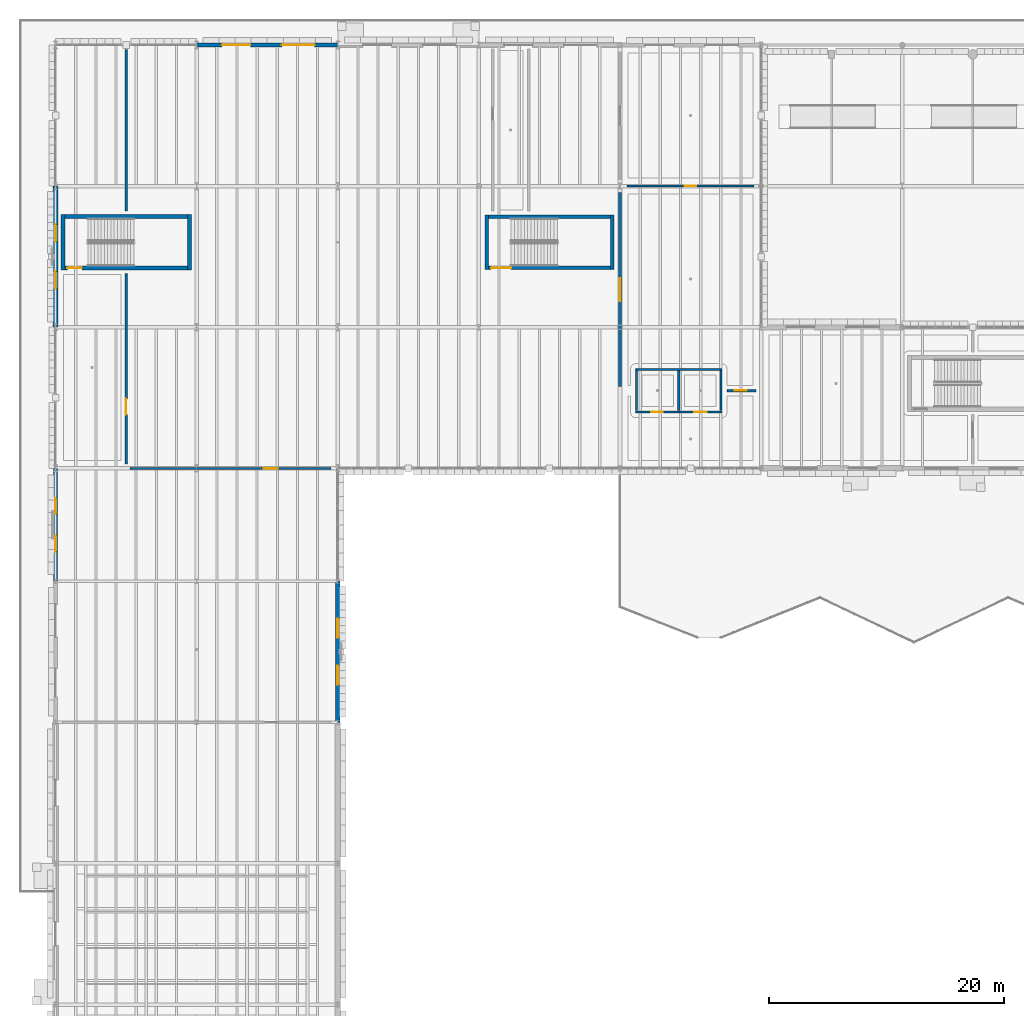
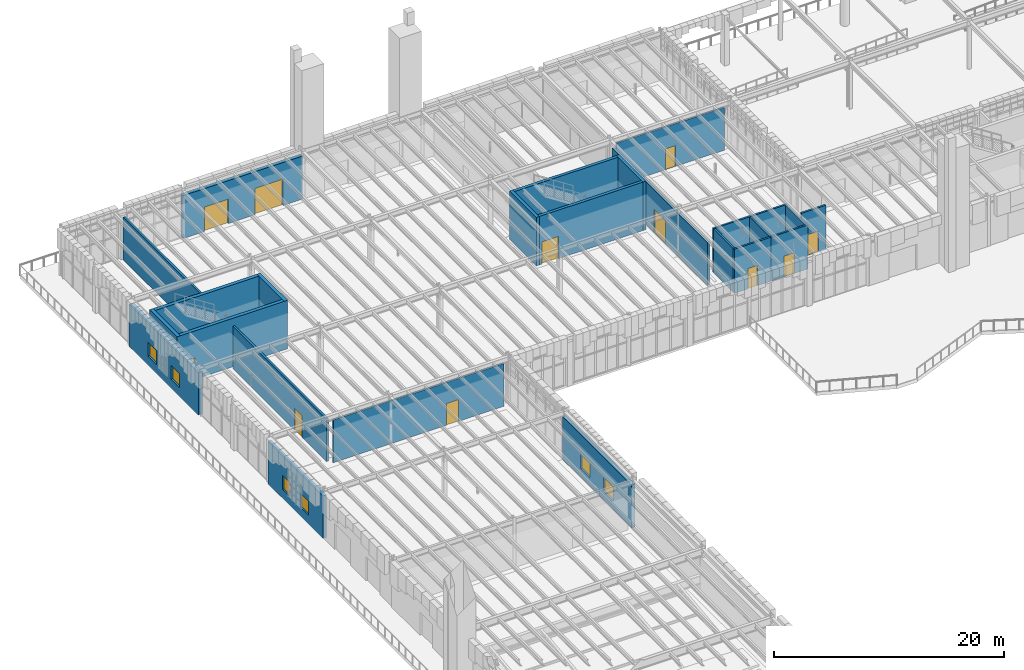
# One storey, part 53 of 103: 24 walls, 11 doors, 6 windows, 17 openings.
"""IFC4 building model written with IfcOpenShell, lengths in metres."""

from ifc_helpers import new_model, si_unit, direction, frame, frame_2d, origin, place, context, subcontext, project, spatial, rectangle, extrude, material, layer, layer_set, type_object, element, fill, save


model = new_model("IFC4")

# Units and contexts
model_context = context("Model", 3, precision=1e-05, world=origin(), true_north=direction((0.0, 1.0)))
body_context = subcontext(model_context, "Body", "Model", "MODEL_VIEW")
ifc_project = project(units=[si_unit("LENGTHUNIT", "METRE"), si_unit("AREAUNIT", "SQUARE_METRE"), si_unit("VOLUMEUNIT", "CUBIC_METRE"), si_unit("PLANEANGLEUNIT", "RADIAN"), si_unit("MASSUNIT", "GRAM", prefix="KILO")], contexts=[model_context])

# Site, building, storey
site_placement = place(None, origin())
site = spatial("IfcSite", under=ifc_project, at=site_placement, CompositionType="ELEMENT")
building_placement = place(site_placement, origin())
building = spatial("IfcBuilding", under=site, at=building_placement, Name="Zlatogorsky Bluff Art Gallery", CompositionType="ELEMENT")
storey_placement = place(building_placement, origin())
storey = spatial("IfcBuildingStorey", under=building, at=storey_placement, Name="L00", CompositionType="ELEMENT", Elevation=0.0)

# Wall, openings, windows
ifc_material_1 = material(Name="Precast concrete C40/50", Category="concrete")
ifc_layer_1 = layer(ifc_material_1, 0.360107421875)
ifc_layer_set_1 = layer_set([ifc_layer_1], Name="Exterior Wall EW-01 360mm")
wall_type_1 = type_object("IfcWallType", Name="Exterior Wall EW-01 360mm", PredefinedType="SOLIDWALL", material=ifc_layer_set_1)
wall_1_placement = place(storey_placement, frame((0.0, 84.0, 0.0), z_axis=(0.0, 0.0, 1.0), x_axis=(0.0, -1.0, 0.0)))
wall_1 = element("IfcWall", 1, at=wall_1_placement, inside=storey, type_object=wall_type_1, Name="Exterior wall EW-01 L00 W 0.7", PredefinedType="SOLIDWALL", context=body_context, shape_type="SweptSolid", body=[
    extrude(rectangle(XDim=9.60009765625, YDim=0.360107421875, at=frame_2d((4.800048828125, 0.0))), origin(), (0.0, 0.0, 1.0), 4.52001953125),
])
opening_1_placement = place(wall_1_placement, frame((2.52490234375, 0.0, 0.949951171875)))
opening_1 = element("IfcOpeningElement", 2, at=opening_1_placement, cuts=wall_1, Name="Opening WN-04", PredefinedType="OPENING", context=body_context, shape_type="SweptSolid", body=[
    extrude(rectangle(XDim=1.35009765625, YDim=1.5, at=frame_2d((0.675048828125, 0.75))), frame((0.0, 0.18994140625, 0.0), z_axis=(0.0, -1.0, 0.0), x_axis=(1.0, 0.0, 0.0)), (0.0, 0.0, 1.0), 0.380126953125),
])
opening_2_placement = place(wall_1_placement, frame((5.72509765625, 0.0, 0.949951171875)))
opening_2 = element("IfcOpeningElement", 3, at=opening_2_placement, cuts=wall_1, Name="Opening WN-04", PredefinedType="OPENING", context=body_context, shape_type="SweptSolid", body=[
    extrude(rectangle(XDim=1.35009765625, YDim=1.5, at=frame_2d((0.675048828125, 0.75))), frame((0.0, 0.18994140625, 0.0), z_axis=(0.0, -1.0, 0.0), x_axis=(1.0, 0.0, 0.0)), (0.0, 0.0, 1.0), 0.380126953125),
])
ifc_material_2 = material(Name="Bronze-Anodised Aluminium Triple Glazing", Category="aluminium")
window_type_1 = type_object("IfcWindowType", Name="Pointed-Reveal Window WN-04 1350x1500", PartitioningType="SINGLE_PANEL", PredefinedType="WINDOW", material=ifc_material_2)
window_1_placement = place(opening_1_placement, origin())
window_1 = element("IfcWindow", 4, at=window_1_placement, inside=storey, type_object=window_type_1, Name="Window WN-04 L00.W.0.7.1", OverallHeight=1.5, OverallWidth=1.35009765625, PartitioningType="SINGLE_PANEL", PredefinedType="WINDOW", context=body_context, shape_type="SweptSolid", body=[
    extrude(rectangle(XDim=1.35009765625, YDim=1.5, at=frame_2d((0.675048828125, 0.75))), frame((0.0, 0.030029296875, 0.0), z_axis=(0.0, -1.0, 0.0), x_axis=(1.0, 0.0, 0.0)), (0.0, 0.0, 1.0), 0.06005859375),
])
fill(opening_1, window_1)
window_2_placement = place(opening_2_placement, origin())
window_2 = element("IfcWindow", 5, at=window_2_placement, inside=storey, type_object=window_type_1, Name="Window WN-04 L00.W.0.7.2", OverallHeight=1.5, OverallWidth=1.35009765625, PartitioningType="SINGLE_PANEL", PredefinedType="WINDOW", context=body_context, shape_type="SweptSolid", body=[
    extrude(rectangle(XDim=1.35009765625, YDim=1.5, at=frame_2d((0.675048828125, 0.75))), frame((0.0, 0.030029296875, 0.0), z_axis=(0.0, -1.0, 0.0), x_axis=(1.0, 0.0, 0.0)), (0.0, 0.0, 1.0), 0.06005859375),
])
fill(opening_2, window_2)

wall_2_placement = place(storey_placement, frame((24.0, 62.39990234375, 0.0), z_axis=(0.0, 0.0, 1.0), x_axis=(0.0, 1.0, 0.0)))
wall_2 = element("IfcWall", 6, at=wall_2_placement, inside=storey, type_object=wall_type_1, Name="Exterior wall EW-01 L00 E 1.6", PredefinedType="SOLIDWALL", context=body_context, shape_type="SweptSolid", body=[
    extrude(rectangle(XDim=12.0, YDim=0.360107421875, at=frame_2d((6.0, 0.0))), origin(), (0.0, 0.0, 1.0), 4.56005859375),
])
opening_3_placement = place(wall_2_placement, frame((3.175048828125, 0.0, 0.949951171875)))
opening_3 = element("IfcOpeningElement", 7, at=opening_3_placement, cuts=wall_2, Name="Opening WN-06", PredefinedType="OPENING", context=body_context, shape_type="SweptSolid", body=[
    extrude(rectangle(XDim=1.64990234375, YDim=1.5, at=frame_2d((0.824951171875, 0.75))), frame((0.0, 0.18994140625, 0.0), z_axis=(0.0, -1.0, 0.0), x_axis=(1.0, 0.0, 0.0)), (0.0, 0.0, 1.0), 0.380126953125),
])
opening_4_placement = place(wall_2_placement, frame((7.175048828125, 0.0, 0.949951171875)))
opening_4 = element("IfcOpeningElement", 8, at=opening_4_placement, cuts=wall_2, Name="Opening WN-06", PredefinedType="OPENING", context=body_context, shape_type="SweptSolid", body=[
    extrude(rectangle(XDim=1.64990234375, YDim=1.5, at=frame_2d((0.824951171875, 0.75))), frame((0.0, 0.18994140625, 0.0), z_axis=(0.0, -1.0, 0.0), x_axis=(1.0, 0.0, 0.0)), (0.0, 0.0, 1.0), 0.380126953125),
])
window_type_2 = type_object("IfcWindowType", Name="Pointed-Reveal Window WN-06 1650x1500", PartitioningType="SINGLE_PANEL", PredefinedType="WINDOW", material=ifc_material_2)
window_3_placement = place(opening_3_placement, origin())
window_3 = element("IfcWindow", 9, at=window_3_placement, inside=storey, type_object=window_type_2, Name="Window WN-06 L00.E.1.6.1", OverallHeight=1.5, OverallWidth=1.64990234375, PartitioningType="SINGLE_PANEL", PredefinedType="WINDOW", context=body_context, shape_type="SweptSolid", body=[
    extrude(rectangle(XDim=1.64990234375, YDim=1.5, at=frame_2d((0.824951171875, 0.75))), frame((0.0, 0.030029296875, 0.0), z_axis=(0.0, -1.0, 0.0), x_axis=(1.0, 0.0, 0.0)), (0.0, 0.0, 1.0), 0.06005859375),
])
fill(opening_3, window_3)
window_4_placement = place(opening_4_placement, origin())
window_4 = element("IfcWindow", 10, at=window_4_placement, inside=storey, type_object=window_type_2, Name="Window WN-06 L00.E.1.6.2", OverallHeight=1.5, OverallWidth=1.64990234375, PartitioningType="SINGLE_PANEL", PredefinedType="WINDOW", context=body_context, shape_type="SweptSolid", body=[
    extrude(rectangle(XDim=1.64990234375, YDim=1.5, at=frame_2d((0.824951171875, 0.75))), frame((0.0, 0.030029296875, 0.0), z_axis=(0.0, -1.0, 0.0), x_axis=(1.0, 0.0, 0.0)), (0.0, 0.0, 1.0), 0.06005859375),
])
fill(opening_4, window_4)

# Wall, openings, doors
wall_3_placement = place(storey_placement, frame((24.0, 120.0, 0.0), z_axis=(0.0, 0.0, 1.0), x_axis=(-1.0, 0.0, 0.0)))
wall_3 = element("IfcWall", 11, at=wall_3_placement, inside=storey, type_object=wall_type_1, Name="Exterior wall EW-01 L00 N 1.10", PredefinedType="SOLIDWALL", context=body_context, shape_type="SweptSolid", body=[
    extrude(rectangle(XDim=12.0, YDim=0.360107421875, at=frame_2d((6.0, 0.0))), origin(), (0.0, 0.0, 1.0), 4.56005859375),
])
opening_5_placement = place(wall_3_placement, frame((1.9599609375, 0.0, 0.0)))
opening_5 = element("IfcOpeningElement", 12, at=opening_5_placement, cuts=wall_3, Name="Opening ED-T3", PredefinedType="OPENING", context=body_context, shape_type="SweptSolid", body=[
    extrude(rectangle(XDim=2.800048828125, YDim=2.800048828125, at=frame_2d((1.39990234375, 1.39990234375))), frame((0.0, 0.18994140625, 0.0), z_axis=(0.0, -1.0, 0.0), x_axis=(1.0, 0.0, 0.0)), (0.0, 0.0, 1.0), 0.380126953125),
])
opening_6_placement = place(wall_3_placement, frame((7.43994140625, 0.0, 0.0)))
opening_6 = element("IfcOpeningElement", 13, at=opening_6_placement, cuts=wall_3, Name="Opening ED-T2", PredefinedType="OPENING", context=body_context, shape_type="SweptSolid", body=[
    extrude(rectangle(XDim=2.39990234375, YDim=2.60009765625, at=frame_2d((1.199951171875, 1.300048828125))), frame((0.0, 0.18994140625, 0.0), z_axis=(0.0, -1.0, 0.0), x_axis=(1.0, 0.0, 0.0)), (0.0, 0.0, 1.0), 0.380126953125),
])
ifc_material_3 = material(Name="Bronze-Clad Thermally Broken Steel and Laminated Glass", Category="steel")
door_type_1 = type_object("IfcDoorType", Name="Exterior Door ED-T2 2400x2600", OperationType="DOUBLE_DOOR_SINGLE_SWING", PredefinedType="DOOR", material=ifc_material_3)
door_1_placement = place(opening_6_placement, frame((2.39990234375, 0.0, 0.0), z_axis=(0.0, 0.0, 1.0), x_axis=(-1.0, 0.0, 0.0)))
door_1 = element("IfcDoor", 14, at=door_1_placement, inside=storey, type_object=door_type_1, Name="Ground exit portal double door ED-T2 N.1.10.2", OperationType="DOUBLE_DOOR_SINGLE_SWING", OverallHeight=2.60009765625, OverallWidth=2.39990234375, PredefinedType="DOOR", context=body_context, shape_type="SweptSolid", body=[
    extrude(rectangle(XDim=2.39990234375, YDim=2.60009765625, at=frame_2d((1.199951171875, 1.300048828125))), frame((0.0, 0.02490234375, 0.0), z_axis=(0.0, -1.0, 0.0), x_axis=(1.0, 0.0, 0.0)), (0.0, 0.0, 1.0), 0.050048828125),
])
fill(opening_6, door_1)
door_type_2 = type_object("IfcDoorType", Name="Exterior Door ED-T3 2800x2800", OperationType="DOUBLE_DOOR_SINGLE_SWING", PredefinedType="DOOR", material=ifc_material_3)
door_2_placement = place(opening_5_placement, frame((2.800048828125, 0.0, 0.0), z_axis=(0.0, 0.0, 1.0), x_axis=(-1.0, 0.0, 0.0)))
door_2 = element("IfcDoor", 15, at=door_2_placement, inside=storey, type_object=door_type_2, Name="Ground exit portal double door ED-T3 N.1.10.1", OperationType="DOUBLE_DOOR_SINGLE_SWING", OverallHeight=2.800048828125, OverallWidth=2.800048828125, PredefinedType="DOOR", context=body_context, shape_type="SweptSolid", body=[
    extrude(rectangle(XDim=2.800048828125, YDim=2.800048828125, at=frame_2d((1.39990234375, 1.39990234375))), frame((0.0, 0.02490234375, 0.0), z_axis=(0.0, -1.0, 0.0), x_axis=(1.0, 0.0, 0.0)), (0.0, 0.0, 1.0), 0.050048828125),
])
fill(opening_5, door_2)

# Wall, openings, windows
ifc_layer_2 = layer(ifc_material_1, 0.43994140625)
ifc_layer_set_2 = layer_set([ifc_layer_2], Name="Exterior Wall EW-03 440mm")
wall_type_2 = type_object("IfcWallType", Name="Exterior Wall EW-03 440mm", PredefinedType="SOLIDWALL", material=ifc_layer_set_2)
wall_4_placement = place(storey_placement, frame((0.0, 108.0, 0.0), z_axis=(0.0, 0.0, 1.0), x_axis=(0.0, -1.0, 0.0)))
wall_4 = element("IfcWall", 16, at=wall_4_placement, inside=storey, type_object=wall_type_2, Name="Exterior wall EW-03 L00 W 0.9", PredefinedType="SOLIDWALL", context=body_context, shape_type="SweptSolid", body=[
    extrude(rectangle(XDim=12.0, YDim=0.43994140625, at=frame_2d((6.0, 0.0))), origin(), (0.0, 0.0, 1.0), 4.52001953125),
])
opening_7_placement = place(wall_4_placement, frame((3.25, 0.0, 0.949951171875)))
opening_7 = element("IfcOpeningElement", 17, at=opening_7_placement, cuts=wall_4, Name="Opening WN-05", PredefinedType="OPENING", context=body_context, shape_type="SweptSolid", body=[
    extrude(rectangle(XDim=1.5, YDim=1.5, at=frame_2d((0.75, 0.75))), frame((0.0, 0.22998046875, 0.0), z_axis=(0.0, -1.0, 0.0), x_axis=(1.0, 0.0, 0.0)), (0.0, 0.0, 1.0), 0.4599609375),
])
opening_8_placement = place(wall_4_placement, frame((7.25, 0.0, 0.949951171875)))
opening_8 = element("IfcOpeningElement", 18, at=opening_8_placement, cuts=wall_4, Name="Opening WN-05", PredefinedType="OPENING", context=body_context, shape_type="SweptSolid", body=[
    extrude(rectangle(XDim=1.5, YDim=1.5, at=frame_2d((0.75, 0.75))), frame((0.0, 0.22998046875, 0.0), z_axis=(0.0, -1.0, 0.0), x_axis=(1.0, 0.0, 0.0)), (0.0, 0.0, 1.0), 0.4599609375),
])
window_type_3 = type_object("IfcWindowType", Name="Pointed-Reveal Window WN-05 1500x1500", PartitioningType="SINGLE_PANEL", PredefinedType="WINDOW", material=ifc_material_2)
window_5_placement = place(opening_7_placement, origin())
window_5 = element("IfcWindow", 19, at=window_5_placement, inside=storey, type_object=window_type_3, Name="Window WN-05 L00.W.0.9.1", OverallHeight=1.5, OverallWidth=1.5, PartitioningType="SINGLE_PANEL", PredefinedType="WINDOW", context=body_context, shape_type="SweptSolid", body=[
    extrude(rectangle(XDim=1.5, YDim=1.5, at=frame_2d((0.75, 0.75))), frame((0.0, 0.030029296875, 0.0), z_axis=(0.0, -1.0, 0.0), x_axis=(1.0, 0.0, 0.0)), (0.0, 0.0, 1.0), 0.06005859375),
])
fill(opening_7, window_5)
window_6_placement = place(opening_8_placement, origin())
window_6 = element("IfcWindow", 20, at=window_6_placement, inside=storey, type_object=window_type_3, Name="Window WN-05 L00.W.0.9.2", OverallHeight=1.5, OverallWidth=1.5, PartitioningType="SINGLE_PANEL", PredefinedType="WINDOW", context=body_context, shape_type="SweptSolid", body=[
    extrude(rectangle(XDim=1.5, YDim=1.5, at=frame_2d((0.75, 0.75))), frame((0.0, 0.030029296875, 0.0), z_axis=(0.0, -1.0, 0.0), x_axis=(1.0, 0.0, 0.0)), (0.0, 0.0, 1.0), 0.06005859375),
])
fill(opening_8, window_6)

# Wall
ifc_material_4 = material(Name="Concrete C30/37", Category="concrete")
ifc_layer_3 = layer(ifc_material_4, 0.179931640625)
ifc_layer_set_3 = layer_set([ifc_layer_3], Name="Interior Wall IW-02 180mm")
wall_type_3 = type_object("IfcWallType", Name="Interior Wall IW-02 180mm", PredefinedType="PARTITIONING", material=ifc_layer_set_3)
wall_5_placement = place(storey_placement, frame((49.31005859375, 92.39990234375, 0.0), z_axis=(0.0, 0.0, 1.0), x_axis=(1.0, 0.0, 0.0)))
element("IfcWall", 21, at=wall_5_placement, inside=storey, type_object=wall_type_3, Name="Restroom enclosure partition IW-L00-WC-N", PredefinedType="PARTITIONING", context=body_context, shape_type="SweptSolid", body=[
    extrude(rectangle(XDim=7.3798828125, YDim=0.179931640625, at=frame_2d((3.68994140625, 0.0))), origin(), (0.0, 0.0, 1.0), 4.669921875),
])

# Wall, opening, door
wall_6_placement = place(storey_placement, frame((49.31005859375, 88.800048828125, 0.0), z_axis=(0.0, 0.0, 1.0), x_axis=(1.0, 0.0, 0.0)))
wall_6 = element("IfcWall", 22, at=wall_6_placement, inside=storey, type_object=wall_type_3, Name="Restroom enclosure partition IW-L00-WC-S1", PredefinedType="PARTITIONING", context=body_context, shape_type="SweptSolid", body=[
    extrude(rectangle(XDim=3.68994140625, YDim=0.179931640625, at=frame_2d((1.844970703125, 0.0))), origin(), (0.0, 0.0, 1.0), 4.669921875),
])
opening_9_placement = place(wall_6_placement, frame((1.364990234375, 0.0, 0.0)))
opening_9 = element("IfcOpeningElement", 23, at=opening_9_placement, cuts=wall_6, Name="Opening ID-02", PredefinedType="OPENING", context=body_context, shape_type="SweptSolid", body=[
    extrude(rectangle(XDim=0.9599609375, YDim=2.14990234375, at=frame_2d((0.47998046875, 1.074951171875))), frame((0.0, 0.099853515625, 0.0), z_axis=(0.0, -1.0, 0.0), x_axis=(1.0, 0.0, 0.0)), (0.0, 0.0, 1.0), 0.199951171875),
])
ifc_material_5 = material(Name="Anodised Aluminium and Laminated Timber", Category="wood")
door_type_3 = type_object("IfcDoorType", Name="Interior Door ID-02 960x2150", OperationType="SINGLE_SWING_LEFT", PredefinedType="DOOR", material=ifc_material_5)
door_3_placement = place(opening_9_placement, origin())
door_3 = element("IfcDoor", 24, at=door_3_placement, inside=storey, type_object=door_type_3, Name="Door ID-02 L00-WC", OperationType="SINGLE_SWING_LEFT", OverallHeight=2.14990234375, OverallWidth=0.9599609375, PredefinedType="DOOR", context=body_context, shape_type="SweptSolid", body=[
    extrude(rectangle(XDim=0.9599609375, YDim=2.14990234375, at=frame_2d((0.47998046875, 1.074951171875))), frame((0.0, 0.02490234375, 0.0), z_axis=(0.0, -1.0, 0.0), x_axis=(1.0, 0.0, 0.0)), (0.0, 0.0, 1.0), 0.050048828125),
])
fill(opening_9, door_3)

wall_7_placement = place(storey_placement, frame((53.0, 88.800048828125, 0.0), z_axis=(0.0, 0.0, 1.0), x_axis=(1.0, 0.0, 0.0)))
wall_7 = element("IfcWall", 25, at=wall_7_placement, inside=storey, type_object=wall_type_3, Name="Restroom enclosure partition IW-L00-WC-S2", PredefinedType="PARTITIONING", context=body_context, shape_type="SweptSolid", body=[
    extrude(rectangle(XDim=3.68994140625, YDim=0.179931640625, at=frame_2d((1.844970703125, 0.0))), origin(), (0.0, 0.0, 1.0), 4.669921875),
])
opening_10_placement = place(wall_7_placement, frame((1.320068359375, 0.0, 0.0)))
opening_10 = element("IfcOpeningElement", 26, at=opening_10_placement, cuts=wall_7, Name="Opening ID-04", PredefinedType="OPENING", context=body_context, shape_type="SweptSolid", body=[
    extrude(rectangle(XDim=1.050048828125, YDim=2.199951171875, at=frame_2d((0.52490234375, 1.10009765625))), frame((0.0, 0.099853515625, 0.0), z_axis=(0.0, -1.0, 0.0), x_axis=(1.0, 0.0, 0.0)), (0.0, 0.0, 1.0), 0.199951171875),
])
door_type_4 = type_object("IfcDoorType", Name="Interior Door ID-04 1050x2200", OperationType="SINGLE_SWING_LEFT", PredefinedType="DOOR", material=ifc_material_5)
door_4_placement = place(opening_10_placement, origin())
door_4 = element("IfcDoor", 27, at=door_4_placement, inside=storey, type_object=door_type_4, Name="Door ID-04 L00-AWC", OperationType="SINGLE_SWING_RIGHT", OverallHeight=2.199951171875, OverallWidth=1.050048828125, PredefinedType="DOOR", context=body_context, shape_type="SweptSolid", body=[
    extrude(rectangle(XDim=1.050048828125, YDim=2.199951171875, at=frame_2d((0.52490234375, 1.10009765625))), frame((0.0, 0.02490234375, 0.0), z_axis=(0.0, -1.0, 0.0), x_axis=(1.0, 0.0, 0.0)), (0.0, 0.0, 1.0), 0.050048828125),
])
fill(opening_10, door_4)

# Walls
for number, where, z_axis, x_axis, name in (
    (28, (49.39990234375, 88.89990234375, 0.0), (0.0, 0.0, 1.0), (0.0, 1.0, 0.0), "Restroom enclosure partition IW-L00-WC-W"),
    (29, (56.60009765625, 88.89990234375, 0.0), (0.0, 0.0, 1.0), (0.0, 1.0, 0.0), "Restroom enclosure partition IW-L00-WC-E"),
    (30, (53.0, 88.89990234375, 0.0), (0.0, 0.0, 1.0), (0.0, 1.0, 0.0), "Restroom enclosure partition IW-L00-WC-M"),
):
    element("IfcWall", number, at=place(storey_placement, frame(where, z_axis=z_axis, x_axis=x_axis)), inside=storey, type_object=wall_type_3, Name=name, PredefinedType="PARTITIONING", context=body_context, shape_type="SweptSolid", body=[
        extrude(rectangle(XDim=3.400146484375, YDim=0.179931640625, at=frame_2d((1.7001953125, 0.0))), origin(), (0.0, 0.0, 1.0), 4.669921875),
    ])

# Wall, opening, door
wall_8_placement = place(storey_placement, frame((6.33740234375, 84.0, 0.0), z_axis=(0.0, 0.0, 1.0), x_axis=(1.0, 0.0, 0.0)))
wall_8 = element("IfcWall", 31, at=wall_8_placement, inside=storey, type_object=wall_type_3, Name="Partition IW-02 between L00-S1 and L00-F1-12", PredefinedType="PARTITIONING", context=body_context, shape_type="SweptSolid", body=[
    extrude(rectangle(XDim=17.105224609375, YDim=0.179931640625, at=frame_2d((8.552734375, 0.0))), origin(), (0.0, 0.0, 1.0), 4.530029296875),
])
opening_11_placement = place(wall_8_placement, frame((11.3740234375, 0.0, 0.0)))
opening_11 = element("IfcOpeningElement", 32, at=opening_11_placement, cuts=wall_8, Name="Opening ID-07", PredefinedType="OPENING", context=body_context, shape_type="SweptSolid", body=[
    extrude(rectangle(XDim=1.199951171875, YDim=2.300048828125, at=frame_2d((0.60009765625, 1.14990234375))), frame((0.0, 0.099853515625, 0.0), z_axis=(0.0, -1.0, 0.0), x_axis=(1.0, 0.0, 0.0)), (0.0, 0.0, 1.0), 0.199951171875),
])
door_type_5 = type_object("IfcDoorType", Name="Interior Door ID-07 1200x2300", OperationType="SINGLE_SWING_LEFT", PredefinedType="DOOR", material=ifc_material_5)
door_5_placement = place(opening_11_placement, origin())
door_5 = element("IfcDoor", 33, at=door_5_placement, inside=storey, type_object=door_type_5, Name="Door ID-07 L00-S1-L00-F1-12", OperationType="SINGLE_SWING_LEFT", OverallHeight=2.300048828125, OverallWidth=1.199951171875, PredefinedType="DOOR", context=body_context, shape_type="SweptSolid", body=[
    extrude(rectangle(XDim=1.199951171875, YDim=2.300048828125, at=frame_2d((0.60009765625, 1.14990234375))), frame((0.0, 0.02490234375, 0.0), z_axis=(0.0, -1.0, 0.0), x_axis=(1.0, 0.0, 0.0)), (0.0, 0.0, 1.0), 0.050048828125),
])
fill(opening_11, door_5)

wall_9_placement = place(storey_placement, frame((48.594482421875, 108.0, 0.0), z_axis=(0.0, 0.0, 1.0), x_axis=(1.0, 0.0, 0.0)))
wall_9 = element("IfcWall", 34, at=wall_9_placement, inside=storey, type_object=wall_type_3, Name="Partition IW-02 between L00-FC and L00-F2-12", PredefinedType="PARTITIONING", context=body_context, shape_type="SweptSolid", body=[
    extrude(rectangle(XDim=10.81103515625, YDim=0.179931640625, at=frame_2d((5.405517578125, 0.0))), origin(), (0.0, 0.0, 1.0), 4.530029296875),
])
opening_12_placement = place(wall_9_placement, frame((4.906005859375, 0.0, 0.0)))
opening_12 = element("IfcOpeningElement", 35, at=opening_12_placement, cuts=wall_9, Name="Opening ID-03", PredefinedType="OPENING", context=body_context, shape_type="SweptSolid", body=[
    extrude(rectangle(XDim=1.0, YDim=2.199951171875, at=frame_2d((0.5, 1.10009765625))), frame((0.0, 0.099853515625, 0.0), z_axis=(0.0, -1.0, 0.0), x_axis=(1.0, 0.0, 0.0)), (0.0, 0.0, 1.0), 0.199951171875),
])
door_type_6 = type_object("IfcDoorType", Name="Interior Door ID-03 1000x2200", OperationType="SINGLE_SWING_LEFT", PredefinedType="DOOR", material=ifc_material_5)
door_6_placement = place(opening_12_placement, origin())
door_6 = element("IfcDoor", 36, at=door_6_placement, inside=storey, type_object=door_type_6, Name="Door ID-03 L00-FC-L00-F2-12", OperationType="SINGLE_SWING_RIGHT", OverallHeight=2.199951171875, OverallWidth=1.0, PredefinedType="DOOR", context=body_context, shape_type="SweptSolid", body=[
    extrude(rectangle(XDim=1.0, YDim=2.199951171875, at=frame_2d((0.5, 1.10009765625))), frame((0.0, 0.02490234375, 0.0), z_axis=(0.0, -1.0, 0.0), x_axis=(1.0, 0.0, 0.0)), (0.0, 0.0, 1.0), 0.050048828125),
])
fill(opening_12, door_6)

ifc_layer_4 = layer(ifc_material_4, 0.199951171875)
ifc_layer_set_4 = layer_set([ifc_layer_4], Name="Interior Wall IW-03 200mm")
wall_type_4 = type_object("IfcWallType", Name="Interior Wall IW-03 200mm", PredefinedType="PARTITIONING", material=ifc_layer_set_4)
wall_10_placement = place(storey_placement, frame((6.0, 84.3701171875, 0.0), z_axis=(0.0, 0.0, 1.0), x_axis=(0.0, 1.0, 0.0)))
wall_10 = element("IfcWall", 37, at=wall_10_placement, inside=storey, type_object=wall_type_4, Name="Partition IW-03 between L00-F1-11 and L00-F1-12-S1", PredefinedType="PARTITIONING", context=body_context, shape_type="SweptSolid", body=[
    extrude(rectangle(XDim=16.2099609375, YDim=0.199951171875, at=frame_2d((8.10498046875, 0.0))), origin(), (0.0, 0.0, 1.0), 4.530029296875),
])
opening_13_placement = place(wall_10_placement, frame((4.18798828125, 0.0, 0.0)))
opening_13 = element("IfcOpeningElement", 38, at=opening_13_placement, cuts=wall_10, Name="Opening ID-08", PredefinedType="OPENING", context=body_context, shape_type="SweptSolid", body=[
    extrude(rectangle(XDim=1.35009765625, YDim=2.300048828125, at=frame_2d((0.675048828125, 1.14990234375))), frame((0.0, 0.10986328125, 0.0), z_axis=(0.0, -1.0, 0.0), x_axis=(1.0, 0.0, 0.0)), (0.0, 0.0, 1.0), 0.219970703125),
])
door_type_7 = type_object("IfcDoorType", Name="Interior Door ID-08 1350x2300", OperationType="DOUBLE_SWING_LEFT", PredefinedType="DOOR", material=ifc_material_5)
door_7_placement = place(opening_13_placement, origin())
door_7 = element("IfcDoor", 39, at=door_7_placement, inside=storey, type_object=door_type_7, Name="Door ID-08 L00-F1-11-L00-F1-12-S1", OperationType="DOUBLE_SWING_LEFT", OverallHeight=2.300048828125, OverallWidth=1.35009765625, PredefinedType="DOOR", context=body_context, shape_type="SweptSolid", body=[
    extrude(rectangle(XDim=1.35009765625, YDim=2.300048828125, at=frame_2d((0.675048828125, 1.14990234375))), frame((0.0, 0.02490234375, 0.0), z_axis=(0.0, -1.0, 0.0), x_axis=(1.0, 0.0, 0.0)), (0.0, 0.0, 1.0), 0.050048828125),
])
fill(opening_13, door_7)

# Wall
wall_11_placement = place(storey_placement, frame((6.0, 105.8701171875, 0.0), z_axis=(0.0, 0.0, 1.0), x_axis=(0.0, 1.0, 0.0)))
element("IfcWall", 40, at=wall_11_placement, inside=storey, type_object=wall_type_4, Name="Partition IW-03 between L00-F1-11 and L00-F1-12-S2", PredefinedType="PARTITIONING", context=body_context, shape_type="SweptSolid", body=[
    extrude(rectangle(XDim=13.759765625, YDim=0.199951171875, at=frame_2d((6.8798828125, 0.0))), origin(), (0.0, 0.0, 1.0), 4.530029296875),
])

# Wall, opening, door
wall_12_placement = place(storey_placement, frame((57.090087890625, 90.60009765625, 0.0), z_axis=(0.0, 0.0, 1.0), x_axis=(1.0, 0.0, 0.0)))
wall_12 = element("IfcWall", 41, at=wall_12_placement, inside=storey, type_object=wall_type_4, Name="Partition IW-03 between L00-F2-11 and L00-F2-12", PredefinedType="PARTITIONING", context=body_context, shape_type="SweptSolid", body=[
    extrude(rectangle(XDim=2.4599609375, YDim=0.199951171875, at=frame_2d((1.22998046875, 0.0))), origin(), (0.0, 0.0, 1.0), 4.669921875),
])
opening_14_placement = place(wall_12_placement, frame((0.64990234375, 0.0, 0.0)))
opening_14 = element("IfcOpeningElement", 42, at=opening_14_placement, cuts=wall_12, Name="Opening ID-04", PredefinedType="OPENING", context=body_context, shape_type="SweptSolid", body=[
    extrude(rectangle(XDim=1.050048828125, YDim=2.199951171875, at=frame_2d((0.52490234375, 1.10009765625))), frame((0.0, 0.10986328125, 0.0), z_axis=(0.0, -1.0, 0.0), x_axis=(1.0, 0.0, 0.0)), (0.0, 0.0, 1.0), 0.219970703125),
])
door_8_placement = place(opening_14_placement, origin())
door_8 = element("IfcDoor", 43, at=door_8_placement, inside=storey, type_object=door_type_4, Name="Door ID-04 L00-F2-11-L00-F2-12", OperationType="SINGLE_SWING_LEFT", OverallHeight=2.199951171875, OverallWidth=1.050048828125, PredefinedType="DOOR", context=body_context, shape_type="SweptSolid", body=[
    extrude(rectangle(XDim=1.050048828125, YDim=2.199951171875, at=frame_2d((0.52490234375, 1.10009765625))), frame((0.0, 0.02490234375, 0.0), z_axis=(0.0, -1.0, 0.0), x_axis=(1.0, 0.0, 0.0)), (0.0, 0.0, 1.0), 0.050048828125),
])
fill(opening_14, door_8)

ifc_layer_5 = layer(ifc_material_4, 0.219970703125)
ifc_layer_set_5 = layer_set([ifc_layer_5], Name="Interior Wall IW-04 220mm")
wall_type_5 = type_object("IfcWallType", Name="Interior Wall IW-04 220mm", PredefinedType="PARTITIONING", material=ifc_layer_set_5)
wall_13_placement = place(storey_placement, frame((48.0, 90.9375, 0.0), z_axis=(0.0, 0.0, 1.0), x_axis=(0.0, 1.0, 0.0)))
wall_13 = element("IfcWall", 44, at=wall_13_placement, inside=storey, type_object=wall_type_5, Name="Partition IW-04 between L00-F1-12 and L00-F2-12", PredefinedType="PARTITIONING", context=body_context, shape_type="SweptSolid", body=[
    extrude(rectangle(XDim=16.505126953125, YDim=0.219970703125, at=frame_2d((8.25244140625, 0.0))), origin(), (0.0, 0.0, 1.0), 4.530029296875),
])
opening_15_placement = place(wall_13_placement, frame((7.278076171875, 0.0, 0.0)))
opening_15 = element("IfcOpeningElement", 45, at=opening_15_placement, cuts=wall_13, Name="Opening ID-12", PredefinedType="OPENING", context=body_context, shape_type="SweptSolid", body=[
    extrude(rectangle(XDim=1.949951171875, YDim=2.449951171875, at=frame_2d((0.97509765625, 1.22509765625))), frame((0.0, 0.119873046875, 0.0), z_axis=(0.0, -1.0, 0.0), x_axis=(1.0, 0.0, 0.0)), (0.0, 0.0, 1.0), 0.239990234375),
])
door_type_8 = type_object("IfcDoorType", Name="Interior Door ID-12 1950x2450", OperationType="DOUBLE_DOOR_SINGLE_SWING", PredefinedType="DOOR", material=ifc_material_5)
door_9_placement = place(opening_15_placement, origin())
door_9 = element("IfcDoor", 46, at=door_9_placement, inside=storey, type_object=door_type_8, Name="Door ID-12 L00-F1-12-L00-F2-12", OperationType="DOUBLE_DOOR_SINGLE_SWING", OverallHeight=2.449951171875, OverallWidth=1.949951171875, PredefinedType="DOOR", context=body_context, shape_type="SweptSolid", body=[
    extrude(rectangle(XDim=1.949951171875, YDim=2.449951171875, at=frame_2d((0.97509765625, 1.22509765625))), frame((0.0, 0.02490234375, 0.0), z_axis=(0.0, -1.0, 0.0), x_axis=(1.0, 0.0, 0.0)), (0.0, 0.0, 1.0), 0.050048828125),
])
fill(opening_15, door_9)

ifc_material_6 = material(Name="Concrete C35/45", Category="concrete")
ifc_layer_6 = layer(ifc_material_6, 0.300048828125)
ifc_layer_set_6 = layer_set([ifc_layer_6], Name="Interior Wall SW-01 300mm")
wall_type_6 = type_object("IfcWallType", Name="Interior Wall SW-01 300mm", PredefinedType="SHEAR", material=ifc_layer_set_6)
wall_14_placement = place(storey_placement, frame((36.5, 101.050048828125, 0.0), z_axis=(0.0, 0.0, 1.0), x_axis=(1.0, 0.0, 0.0)))
wall_14 = element("IfcWall", 47, at=wall_14_placement, inside=storey, type_object=wall_type_6, Name="Stair ST-07 enclosure wall L00 W0", PredefinedType="SHEAR", context=body_context, shape_type="SweptSolid", body=[
    extrude(rectangle(XDim=11.0, YDim=0.300048828125, at=frame_2d((5.5, 0.0))), origin(), (0.0, 0.0, 1.0), 5.139892578125),
])
opening_16_placement = place(wall_14_placement, frame((0.550048828125, 0.0, 0.0)))
opening_16 = element("IfcOpeningElement", 48, at=opening_16_placement, cuts=wall_14, Name="Opening FD-04", PredefinedType="OPENING", context=body_context, shape_type="SweptSolid", body=[
    extrude(rectangle(XDim=1.679931640625, YDim=2.35009765625, at=frame_2d((0.83984375, 1.175048828125))), frame((0.0, 0.159912109375, 0.0), z_axis=(0.0, -1.0, 0.0), x_axis=(1.0, 0.0, 0.0)), (0.0, 0.0, 1.0), 0.320068359375),
])
door_type_9 = type_object("IfcDoorType", Name="Interior Door FD-04 1680x2350", OperationType="DOUBLE_DOOR_SINGLE_SWING", PredefinedType="DOOR", material=ifc_material_5)
door_10_placement = place(opening_16_placement, frame((1.679931640625, 0.0, 0.0), z_axis=(0.0, 0.0, 1.0), x_axis=(-1.0, 0.0, 0.0)))
door_10 = element("IfcDoor", 49, at=door_10_placement, inside=storey, type_object=door_type_9, Name="Stair ST-07 fire door L00", OperationType="DOUBLE_DOOR_SINGLE_SWING", OverallHeight=2.35009765625, OverallWidth=1.679931640625, PredefinedType="DOOR", context=body_context, shape_type="SweptSolid", body=[
    extrude(rectangle(XDim=1.679931640625, YDim=2.35009765625, at=frame_2d((0.83984375, 1.175048828125))), frame((0.0, 0.02490234375, 0.0), z_axis=(0.0, -1.0, 0.0), x_axis=(1.0, 0.0, 0.0)), (0.0, 0.0, 1.0), 0.050048828125),
])
fill(opening_16, door_10)

# Walls
wall_15_placement = place(storey_placement, frame((47.35009765625, 100.89990234375, 0.0), z_axis=(0.0, 0.0, 1.0), x_axis=(0.0, 1.0, 0.0)))
element("IfcWall", 50, at=wall_15_placement, inside=storey, type_object=wall_type_6, Name="Stair ST-07 enclosure wall L00 FEND", PredefinedType="SHEAR", context=body_context, shape_type="SweptSolid", body=[
    extrude(rectangle(XDim=4.650146484375, YDim=0.300048828125, at=frame_2d((2.3251953125, 0.0))), origin(), (0.0, 0.0, 1.0), 5.139892578125),
])
wall_16_placement = place(storey_placement, frame((47.5, 105.39990234375, 0.0), z_axis=(0.0, 0.0, 1.0), x_axis=(-1.0, 0.0, 0.0)))
element("IfcWall", 51, at=wall_16_placement, inside=storey, type_object=wall_type_6, Name="Stair ST-07 enclosure wall L00 W1", PredefinedType="SHEAR", context=body_context, shape_type="SweptSolid", body=[
    extrude(rectangle(XDim=11.0, YDim=0.300048828125, at=frame_2d((5.5, 0.0))), origin(), (0.0, 0.0, 1.0), 5.139892578125),
])
wall_17_placement = place(storey_placement, frame((36.64990234375, 105.550048828125, 0.0), z_axis=(0.0, 0.0, 1.0), x_axis=(0.0, -1.0, 0.0)))
element("IfcWall", 52, at=wall_17_placement, inside=storey, type_object=wall_type_6, Name="Stair ST-07 enclosure wall L00 LEND", PredefinedType="SHEAR", context=body_context, shape_type="SweptSolid", body=[
    extrude(rectangle(XDim=4.650146484375, YDim=0.300048828125, at=frame_2d((2.3251953125, 0.0))), origin(), (0.0, 0.0, 1.0), 5.139892578125),
])

# Wall, opening, door
ifc_layer_7 = layer(ifc_material_6, 0.35009765625)
ifc_layer_set_7 = layer_set([ifc_layer_7], Name="Interior Wall SW-02 350mm")
wall_type_7 = type_object("IfcWallType", Name="Interior Wall SW-02 350mm", PredefinedType="SHEAR", material=ifc_layer_set_7)
wall_18_placement = place(storey_placement, frame((0.449951171875, 101.02490234375, 0.0), z_axis=(0.0, 0.0, 1.0), x_axis=(1.0, 0.0, 0.0)))
wall_18 = element("IfcWall", 53, at=wall_18_placement, inside=storey, type_object=wall_type_7, Name="Stair ST-05 enclosure wall L00 W0", PredefinedType="SHEAR", context=body_context, shape_type="SweptSolid", body=[
    extrude(rectangle(XDim=11.10009765625, YDim=0.35009765625, at=frame_2d((5.550048828125, 0.0))), origin(), (0.0, 0.0, 1.0), 5.139892578125),
])
opening_17_placement = place(wall_18_placement, frame((0.550048828125, 0.0, 0.0)))
opening_17 = element("IfcOpeningElement", 54, at=opening_17_placement, cuts=wall_18, Name="Opening FD-02", PredefinedType="OPENING", context=body_context, shape_type="SweptSolid", body=[
    extrude(rectangle(XDim=1.239990234375, YDim=2.25, at=frame_2d((0.6201171875, 1.125))), frame((0.0, 0.18505859375, 0.0), z_axis=(0.0, -1.0, 0.0), x_axis=(1.0, 0.0, 0.0)), (0.0, 0.0, 1.0), 0.3701171875),
])
door_type_10 = type_object("IfcDoorType", Name="Interior Door FD-02 1240x2250", OperationType="SINGLE_SWING_LEFT", PredefinedType="DOOR", material=ifc_material_5)
door_11_placement = place(opening_17_placement, frame((1.239990234375, 0.0, 0.0), z_axis=(0.0, 0.0, 1.0), x_axis=(-1.0, 0.0, 0.0)))
door_11 = element("IfcDoor", 55, at=door_11_placement, inside=storey, type_object=door_type_10, Name="Stair ST-05 fire door L00", OperationType="SINGLE_SWING_LEFT", OverallHeight=2.25, OverallWidth=1.239990234375, PredefinedType="DOOR", context=body_context, shape_type="SweptSolid", body=[
    extrude(rectangle(XDim=1.239990234375, YDim=2.25, at=frame_2d((0.6201171875, 1.125))), frame((0.0, 0.02490234375, 0.0), z_axis=(0.0, -1.0, 0.0), x_axis=(1.0, 0.0, 0.0)), (0.0, 0.0, 1.0), 0.050048828125),
])
fill(opening_17, door_11)

# Walls
wall_19_placement = place(storey_placement, frame((11.375, 100.85009765625, 0.0), z_axis=(0.0, 0.0, 1.0), x_axis=(0.0, 1.0, 0.0)))
element("IfcWall", 56, at=wall_19_placement, inside=storey, type_object=wall_type_7, Name="Stair ST-05 enclosure wall L00 FEND", PredefinedType="SHEAR", context=body_context, shape_type="SweptSolid", body=[
    extrude(rectangle(XDim=4.75, YDim=0.35009765625, at=frame_2d((2.375, 0.0))), origin(), (0.0, 0.0, 1.0), 5.139892578125),
])
wall_20_placement = place(storey_placement, frame((11.550048828125, 105.425048828125, 0.0), z_axis=(0.0, 0.0, 1.0), x_axis=(-1.0, 0.0, 0.0)))
element("IfcWall", 57, at=wall_20_placement, inside=storey, type_object=wall_type_7, Name="Stair ST-05 enclosure wall L00 W1", PredefinedType="SHEAR", context=body_context, shape_type="SweptSolid", body=[
    extrude(rectangle(XDim=11.10009765625, YDim=0.35009765625, at=frame_2d((5.550048828125, 0.0))), origin(), (0.0, 0.0, 1.0), 5.139892578125),
])
wall_21_placement = place(storey_placement, frame((0.625, 105.60009765625, 0.0), z_axis=(0.0, 0.0, 1.0), x_axis=(0.0, -1.0, 0.0)))
element("IfcWall", 58, at=wall_21_placement, inside=storey, type_object=wall_type_7, Name="Stair ST-05 enclosure wall L00 LEND", PredefinedType="SHEAR", context=body_context, shape_type="SweptSolid", body=[
    extrude(rectangle(XDim=4.75, YDim=0.35009765625, at=frame_2d((2.375, 0.0))), origin(), (0.0, 0.0, 1.0), 5.139892578125),
])

save(model, "model.ifc")
